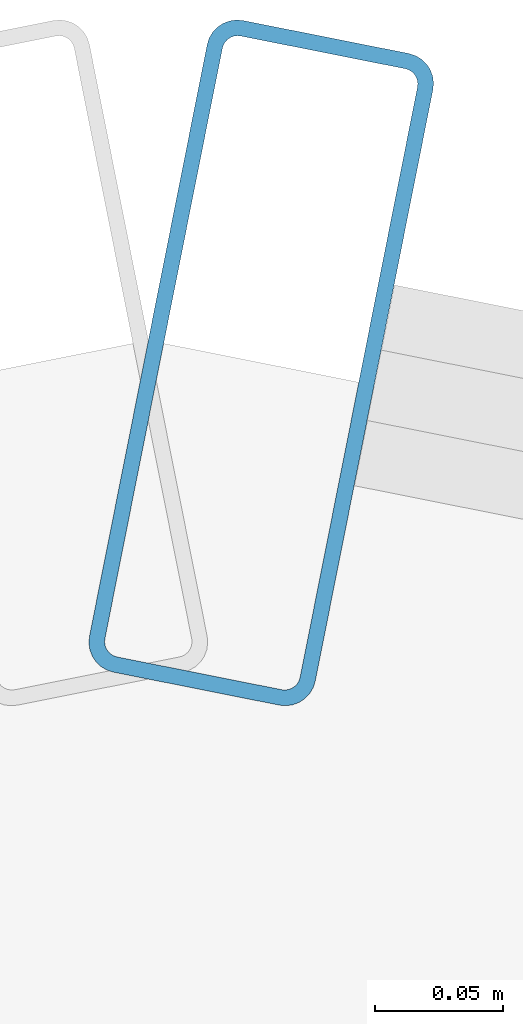
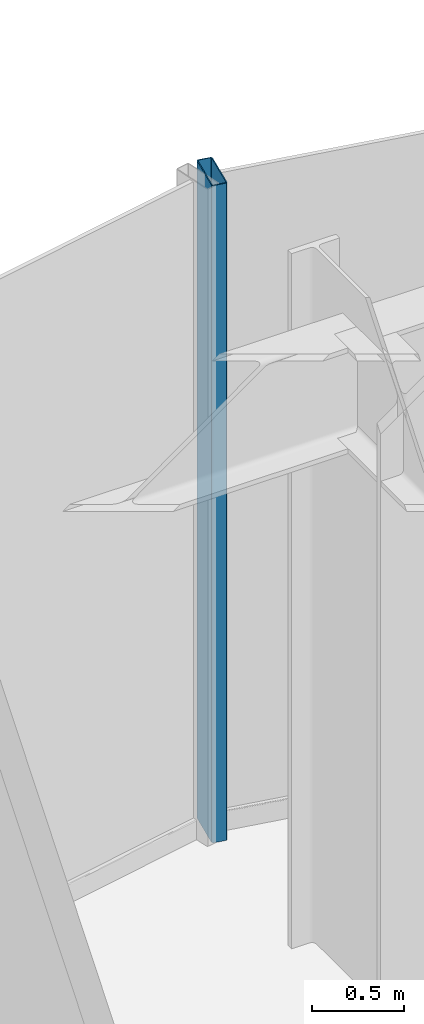
# One storey, part 18 of 30: 1 member, 1 element without a shape of its own.
"""IFC4 building model written with IfcOpenShell, lengths in metres."""

import ifcopenshell
import ifcopenshell.guid

model = None  # the IFC model being written
_history = None  # IfcOwnerHistory: only IFC2X3 demands one
_inside = {}  # id of a spatial element -> (the spatial element, [elements in it])
_under = {}  # id of a project, library or spatial element -> (it, [spatial elements below it])
_declared = {}  # id of a project -> (the project, [libraries it declares])
_typed = {}  # id of a type object -> (the type object, [elements of that type])
_made_of = {}  # id of a material, layer set ... -> (it, [elements and type objects made of it])


def new_model(schema):
    """Start an empty IFC model of exactly this schema.

    Asked for "IFC4X3", IfcOpenShell would pick the latest addendum, in which some entities
    have other attributes; the version numbers below select the first issue.
    IFC2X3 requires an IfcOwnerHistory on every rooted entity: one is made here for all.
    """
    global model, _history
    if schema == "IFC4X3":
        model = ifcopenshell.file(schema_version=(4, 3, 0, 0))
    else:
        model = ifcopenshell.file(schema=schema)
    _inside.clear()
    _under.clear()
    _declared.clear()
    _typed.clear()
    _made_of.clear()
    _history = None
    if model.schema == "IFC2X3":
        org = make("IfcOrganization", Name="unknown")
        user = make(
            "IfcPersonAndOrganization",
            ThePerson=make("IfcPerson", FamilyName="unknown"),
            TheOrganization=org,
        )
        app = make(
            "IfcApplication",
            ApplicationDeveloper=org,
            Version="unknown",
            ApplicationFullName="unknown",
            ApplicationIdentifier="unknown",
        )
        _history = make(
            "IfcOwnerHistory",
            OwningUser=user,
            OwningApplication=app,
            ChangeAction="ADDED",
            CreationDate=0,
        )
    return model


def make(cls, **values):
    """One entity of the class cls with the attributes given. An attribute that is None is left unset."""
    return model.create_entity(
        cls, **{name: value for name, value in values.items() if value is not None}
    )


def rooted(cls, **values):
    """An entity with a GlobalId (a new one), such as an element, a storey or a relation."""
    return make(cls, GlobalId=ifcopenshell.guid.new(), OwnerHistory=_history, **values)


def si_unit(unit_type, name, prefix=None):
    """IfcSIUnit, for example si_unit("LENGTHUNIT", "METRE", prefix="MILLI")."""
    return make("IfcSIUnit", UnitType=unit_type, Prefix=prefix, Name=name)


def assignment(units):
    """IfcUnitAssignment: the units of a project."""
    return None if units is None else make("IfcUnitAssignment", Units=units)


def point(xyz):
    """IfcCartesianPoint."""
    return None if xyz is None else make("IfcCartesianPoint", Coordinates=xyz)


def direction(xyz):
    """IfcDirection."""
    return None if xyz is None else make("IfcDirection", DirectionRatios=xyz)


def frame(location, z_axis=None, x_axis=None):
    """IfcAxis2Placement3D, a coordinate frame: its origin and axes. An axis left out is left unset."""
    return make(
        "IfcAxis2Placement3D",
        Location=point(location),
        Axis=direction(z_axis),
        RefDirection=direction(x_axis),
    )


def frame_2d(location, x_axis=None):
    """IfcAxis2Placement2D, a coordinate frame in the plane: its origin and x axis."""
    return make(
        "IfcAxis2Placement2D", Location=point(location), RefDirection=direction(x_axis)
    )


def origin():
    """The frame at (0, 0, 0) with its axes left unset."""
    return frame((0.0, 0.0, 0.0))


def origin_2d():
    """The frame at (0, 0) in the plane with its x axis left unset."""
    return frame_2d((0.0, 0.0))


def place(relative_to, where):
    """IfcLocalPlacement: puts the frame where relative to a parent placement (None: the world)."""
    return make(
        "IfcLocalPlacement", PlacementRelTo=relative_to, RelativePlacement=where
    )


def context(
    kind, dimensions, precision=None, world=None, true_north=None, identifier=None
):
    """IfcGeometricRepresentationContext, for example the 3D "Model" context."""
    return make(
        "IfcGeometricRepresentationContext",
        ContextIdentifier=identifier,
        ContextType=kind,
        CoordinateSpaceDimension=dimensions,
        Precision=precision,
        WorldCoordinateSystem=world,
        TrueNorth=true_north,
    )


def subcontext(parent, identifier, kind, view, scale=None):
    """IfcGeometricRepresentationSubContext, for example "Body" below "Model"."""
    return make(
        "IfcGeometricRepresentationSubContext",
        ContextIdentifier=identifier,
        ContextType=kind,
        ParentContext=parent,
        TargetScale=scale,
        TargetView=view,
    )


def project(units=None, contexts=None):
    """IfcProject with its units and contexts."""
    return rooted(
        "IfcProject",
        Name="project",
        RepresentationContexts=contexts,
        UnitsInContext=assignment(units),
    )


def spatial(cls, under=None, at=None, **own):
    """A site, building, storey or space (cls), placed at a placement, below another one or the project."""
    s = rooted(cls, ObjectPlacement=at, **own)
    if under is not None:
        _under.setdefault(under.id(), (under, []))[1].append(s)
    return s


def profile(cls, at=None, kind="AREA", **sizes):
    """A parametric profile (cls). Its sizes go by their IFC names, for example OverallWidth=200.0."""
    return make(cls, ProfileType=kind, Position=at, **sizes)


def hollow_rectangle(**sizes):
    """IfcRectangleHollowProfileDef."""
    return profile("IfcRectangleHollowProfileDef", **sizes)


def extrude(swept, where, along, depth):
    """IfcExtrudedAreaSolid: the profile swept, set in the frame where, extruded along a direction by depth."""
    return make(
        "IfcExtrudedAreaSolid",
        SweptArea=swept,
        Position=where,
        ExtrudedDirection=direction(along),
        Depth=depth,
    )


def shape(context_of_items, identifier, shape_type, items):
    """IfcShapeRepresentation: the items that make up one representation, for example the "Body"."""
    return make(
        "IfcShapeRepresentation",
        ContextOfItems=context_of_items,
        RepresentationIdentifier=identifier,
        RepresentationType=shape_type,
        Items=items,
    )


def source(mapping_origin, context_of_items, identifier, shape_type, items):
    """IfcRepresentationMap: a shape defined once, which mapped items show again and again."""
    return make(
        "IfcRepresentationMap",
        MappingOrigin=mapping_origin,
        MappedRepresentation=shape(context_of_items, identifier, shape_type, items),
    )


def transform(
    local_origin,
    x_axis=None,
    y_axis=None,
    z_axis=None,
    scale=None,
    scale2=None,
    scale3=None,
    uniform=True,
):
    """IfcCartesianTransformationOperator3D, or its non-uniform kind. x_axis, y_axis, z_axis: its Axis1, 2, 3."""
    if uniform:
        return make(
            "IfcCartesianTransformationOperator3D",
            Axis1=direction(x_axis),
            Axis2=direction(y_axis),
            LocalOrigin=point(local_origin),
            Scale=scale,
            Axis3=direction(z_axis),
        )
    return make(
        "IfcCartesianTransformationOperator3DnonUniform",
        Axis1=direction(x_axis),
        Axis2=direction(y_axis),
        LocalOrigin=point(local_origin),
        Scale=scale,
        Axis3=direction(z_axis),
        Scale2=scale2,
        Scale3=scale3,
    )


def mapped(mapping_source, mapping_target):
    """IfcMappedItem: shows the shape of a source again, moved by a transform."""
    return make(
        "IfcMappedItem", MappingSource=mapping_source, MappingTarget=mapping_target
    )


def material(Name=None, Category=None):
    """IfcMaterial."""
    return make("IfcMaterial", Name=Name, Category=Category)


def layer(
    of_material, thickness, ventilated=None, Name=None, Category=None, Priority=None
):
    """IfcMaterialLayer: one layer of a wall or slab, of a material (None: an air gap)."""
    return make(
        "IfcMaterialLayer",
        Material=of_material,
        LayerThickness=thickness,
        IsVentilated=ventilated,
        Name=Name,
        Category=Category,
        Priority=Priority,
    )


def layer_set(layers, Name=None):
    """IfcMaterialLayerSet."""
    return make("IfcMaterialLayerSet", MaterialLayers=layers, LayerSetName=Name)


def material_profile(
    of_material, cross_section, Name=None, Category=None, Priority=None
):
    """IfcMaterialProfile: a cross section and its material."""
    return make(
        "IfcMaterialProfile",
        Name=Name,
        Material=of_material,
        Profile=cross_section,
        Priority=Priority,
        Category=Category,
    )


def profile_set(profiles, Name=None, composite=None):
    """IfcMaterialProfileSet."""
    return make(
        "IfcMaterialProfileSet",
        Name=Name,
        MaterialProfiles=profiles,
        CompositeProfile=composite,
    )


def made_of(thing, what):
    """Note that an element or type object is made of a material, layer set ...; save() writes the relation."""
    if what is not None:
        _made_of.setdefault(what.id(), (what, []))[1].append(thing)
    return thing


def type_object(cls, material=None, **own):
    """A type object (cls), such as IfcWallType, which elements share."""
    return made_of(rooted(cls, **own), material)


def element(
    cls,
    number,
    at=None,
    inside=None,
    cuts=None,
    type_object=None,
    material=None,
    context=None,
    identifier="Body",
    shape_type=None,
    held_by="IfcProductDefinitionShape",
    body=None,
    shapes=None,
    **own,
):
    """One element of the class cls, such as IfcWall. Its Tag is "e" and its number.

    at: its placement. inside: the storey or other place that contains it. cuts: it is an
    opening in that element (IfcRelVoidsElement). A single representation is given by context,
    identifier, shape_type and body (its items); several are given by shapes. held_by: the class
    of the entity that holds the representations. save() writes the other relations.
    """
    e = rooted(cls, Tag="e%d" % number, ObjectPlacement=at, **own)
    if body is not None:
        shapes = [shape(context, identifier, shape_type, body)]
    if shapes is not None:
        e.Representation = make(held_by, Representations=shapes)
    if inside is not None:
        _inside.setdefault(inside.id(), (inside, []))[1].append(e)
    if cuts is not None:
        rooted(
            "IfcRelVoidsElement", RelatingBuildingElement=cuts, RelatedOpeningElement=e
        )
    if type_object is not None:
        _typed.setdefault(type_object.id(), (type_object, []))[1].append(e)
    return made_of(e, material)


def aggregate(whole, parts):
    """IfcRelAggregates: a whole, such as a stair, and the parts it consists of."""
    return rooted("IfcRelAggregates", RelatingObject=whole, RelatedObjects=parts)


def save(model, path):
    """Write the relations noted so far, then the file.

    IfcRelAggregates (storeys below a building ...), IfcRelContainedInSpatialStructure (elements
    in a storey), IfcRelDefinesByType, IfcRelAssociatesMaterial and IfcRelDeclares: one each for
    every whole, place, type object, material and project.
    """
    for whole, parts in _under.values():
        aggregate(whole, parts)
    for where, things in _inside.values():
        rooted(
            "IfcRelContainedInSpatialStructure",
            RelatedElements=things,
            RelatingStructure=where,
        )
    for kind, things in _typed.values():
        rooted("IfcRelDefinesByType", RelatedObjects=things, RelatingType=kind)
    for what, things in _made_of.values():
        rooted("IfcRelAssociatesMaterial", RelatedObjects=things, RelatingMaterial=what)
    for by, libraries in _declared.values():
        rooted("IfcRelDeclares", RelatingContext=by, RelatedDefinitions=libraries)
    model.write(path)


model = new_model("IFC4")

# Units and contexts
model_context = context("Model", 3, precision=1e-05, world=origin(), true_north=direction((0.0, 1.0)))
body_context = subcontext(model_context, "Body", "Model", "MODEL_VIEW")
ifc_project = project(units=[si_unit("LENGTHUNIT", "METRE"), si_unit("AREAUNIT", "SQUARE_METRE"), si_unit("VOLUMEUNIT", "CUBIC_METRE"), si_unit("PLANEANGLEUNIT", "RADIAN"), si_unit("MASSUNIT", "GRAM", prefix="KILO")], contexts=[model_context])

# Site, building, storey
site_placement = place(None, origin())
site = spatial("IfcSite", under=ifc_project, at=site_placement, CompositionType="ELEMENT")
building_placement = place(site_placement, origin())
building = spatial("IfcBuilding", under=site, at=building_placement, Name="Nefas-Gora Pilgrimage Tower", CompositionType="ELEMENT")
storey_placement = place(building_placement, frame((0.0, 0.0, 86.199951171875)))
storey = spatial("IfcBuildingStorey", under=building, at=storey_placement, Name="L20", CompositionType="ELEMENT", Elevation=86.199951171875)

# Curtain wall, member
ifc_material_1 = material(Name="Dark ceramic-fritted solar-control aluminium-glass curtain wall", Category="aluminium")
ifc_layer = layer(ifc_material_1, 0.219970703125)
ifc_layer_set = layer_set([ifc_layer], Name="Dark ceramic-fritted solar-control aluminium-glass curtain wall")
curtain_wall_type = type_object("IfcCurtainWallType", Name="CW-SYS-5", PredefinedType="NOTDEFINED", material=ifc_layer_set)
curtain_wall_placement = place(storey_placement, origin())
curtain_wall = element("IfcCurtainWall", 1, at=curtain_wall_placement, inside=storey, type_object=curtain_wall_type, Name="L20 Unitised Curtain Wall CW5", PredefinedType="NOTDEFINED")
ifc_material_2 = material(Name="Anodised architectural aluminium", Category="aluminium")
ifc_material_profile = material_profile(ifc_material_2, hollow_rectangle(XDim=0.090087890625, YDim=0.260009765625, WallThickness=0.006103515625, InnerFilletRadius=0.006103515625, OuterFilletRadius=0.011962890625, at=origin_2d()), Name="ALU MULLION 90x260")
ifc_profile_set = profile_set([ifc_material_profile], Name="Anodised architectural aluminium")
member_type = type_object("IfcMemberType", Name="CWM-MUL-5", PredefinedType="MULLION", material=ifc_profile_set)
shared_shape = source(origin(), body_context, "Body", "SweptSolid", [
    extrude(hollow_rectangle(XDim=0.090087890625, YDim=0.260009765625, WallThickness=0.006103515625, InnerFilletRadius=0.006103515625, OuterFilletRadius=0.011962890625, at=origin_2d()), origin(), (0.0, 0.0, 1.0), 4.35009765625),
])
member_placement = place(storey_placement, frame((-2.205810546875, 24.16357421875, 0.0), z_axis=(0.0, 0.0, 1.0), x_axis=(-0.980782896852, 0.195102304554, 0.0)))
member = element("IfcMember", 2, at=member_placement, type_object=member_type, Name="CW5 Mullion 2", PredefinedType="MULLION", context=body_context, shape_type="MappedRepresentation", body=[
    mapped(shared_shape, transform((0.0, 0.0, 0.0), x_axis=(1.0, 0.0, 0.0), y_axis=(0.0, 1.0, 0.0), z_axis=(0.0, 0.0, 1.0), scale=1.0)),
])
aggregate(curtain_wall, [member])

save(model, "model.ifc")
